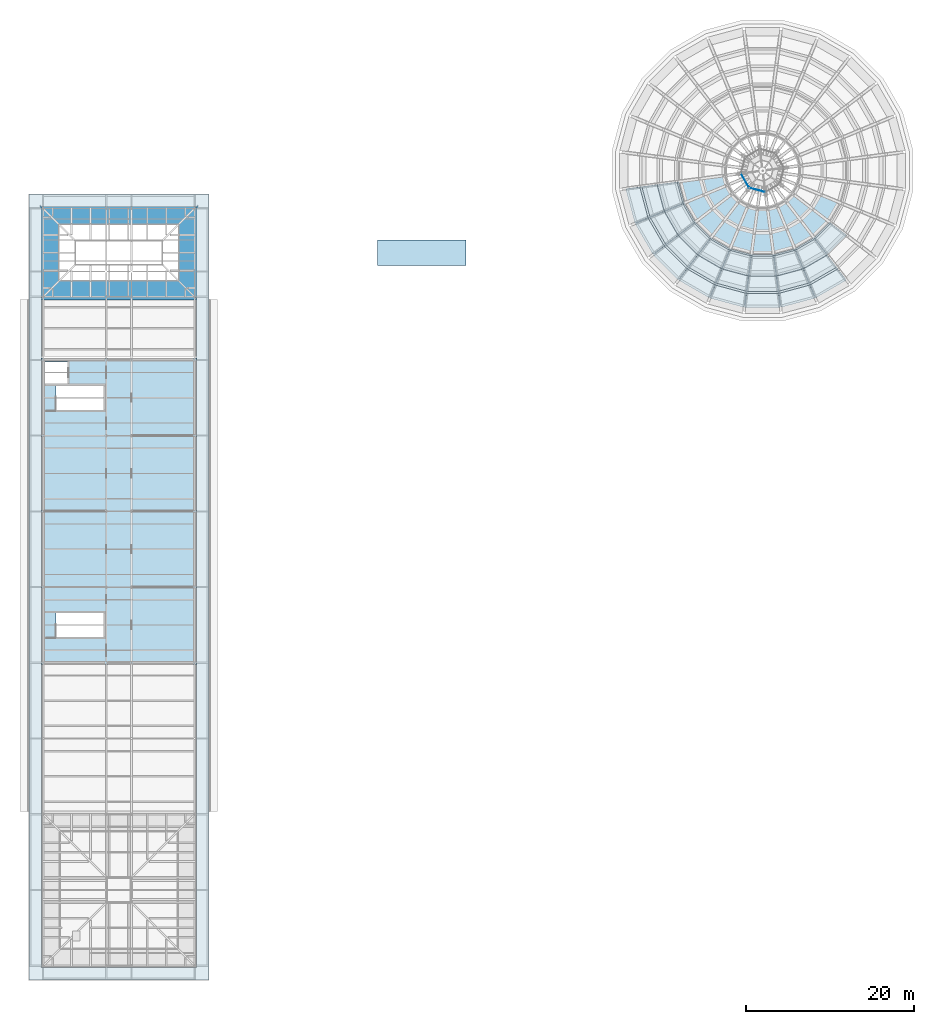
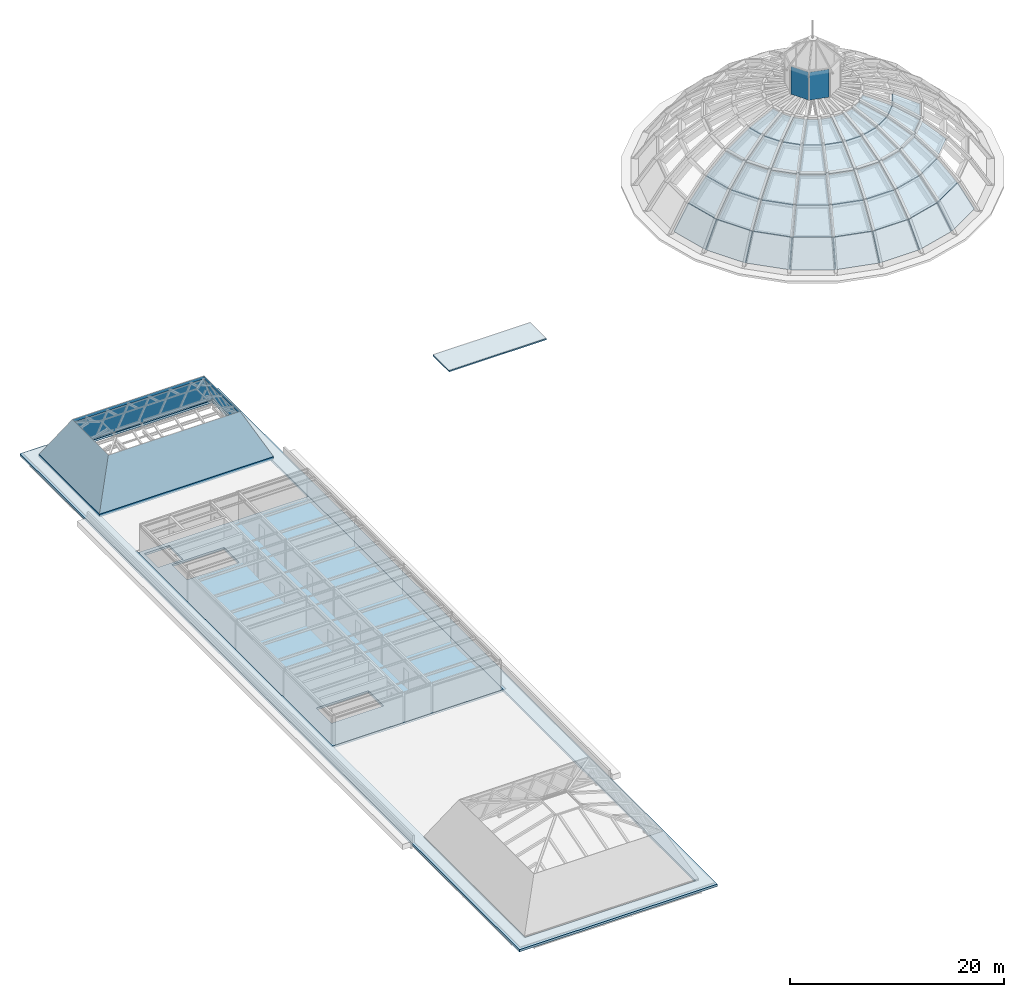
# One storey, part 18 of 29: 51 slabs, 2 plates.
"""IFC4 building model written with IfcOpenShell, lengths in metres."""

from ifc_helpers import new_model, si_unit, direction, frame, origin, place, context, subcontext, project, spatial, polyline, outline, extrude, material, layer, layer_set, type_object, element, save


model = new_model("IFC4")

# Units and contexts
model_context = context("Model", 3, precision=1e-05, world=origin(), true_north=direction((0.0, 1.0)))
body_context = subcontext(model_context, "Body", "Model", "MODEL_VIEW")
ifc_project = project(units=[si_unit("LENGTHUNIT", "METRE"), si_unit("AREAUNIT", "SQUARE_METRE"), si_unit("VOLUMEUNIT", "CUBIC_METRE"), si_unit("PLANEANGLEUNIT", "RADIAN"), si_unit("MASSUNIT", "GRAM", prefix="KILO")], contexts=[model_context])

# Site, building, storey
site_placement = place(None, origin())
site = spatial("IfcSite", under=ifc_project, at=site_placement, CompositionType="ELEMENT")
building_placement = place(site_placement, origin())
building = spatial("IfcBuilding", under=site, at=building_placement, Name="Golden Quay Civic Hall", CompositionType="ELEMENT")
storey_placement = place(building_placement, frame((0.0, 0.0, 27.0)))
storey = spatial("IfcBuildingStorey", under=building, at=storey_placement, Name="L06", CompositionType="ELEMENT", Elevation=27.0)

# Slabs
ifc_material_1 = material(Name="Concrete C35/45", Category="concrete")
ifc_layer_1 = layer(ifc_material_1, 0.25)
ifc_layer_set_1 = layer_set([ifc_layer_1], Name="Composite plant floor 250")
slab_type_1 = type_object("IfcSlabType", Name="Composite plant floor 250", PredefinedType="FLOOR", material=ifc_layer_set_1)
slab_1_placement = place(storey_placement, frame((0.0, 0.0, -0.25)))
element("IfcSlab", 1, at=slab_1_placement, inside=storey, type_object=slab_type_1, Name="WO plant floor", PredefinedType="FLOOR", context=body_context, shape_type="SweptSolid", body=[
    extrude(outline(polyline([(18.199951171875, 26.800048828125), (-0.199951171875, 26.800048828125), (-0.199951171875, 63.199951171875), (18.199951171875, 63.199951171875), (18.199951171875, 26.800048828125)]), holes=[polyline([(7.175048828125, 57.074951171875), (7.175048828125, 59.925048828125), (1.554931640625, 59.925048828125), (1.554931640625, 57.074951171875), (7.175048828125, 57.074951171875)]), polyline([(0.199951171875, 60.175048828125), (2.89990234375, 60.175048828125), (2.89990234375, 62.77490234375), (0.199951171875, 62.77490234375), (0.199951171875, 60.175048828125)]), polyline([(1.554931640625, 32.925048828125), (1.554931640625, 30.074951171875), (7.175048828125, 30.074951171875), (7.175048828125, 32.925048828125), (1.554931640625, 32.925048828125)])]), origin(), (0.0, 0.0, 1.0), 0.25),
])
ifc_material_2 = material(Name="Concrete C35/45", Category="concrete")
ifc_layer_2 = layer(ifc_material_2, 0.14990234375)
ifc_layer_set_2 = layer_set([ifc_layer_2], Name="Concrete roof deck 150, Concrete C35/45")
slab_type_2 = type_object("IfcSlabType", Name="Concrete roof deck 150", PredefinedType="ROOF", material=ifc_layer_set_2)
slab_2_placement = place(storey_placement, frame((-0.39990234375, 70.10009765625, 0.248291015625), z_axis=(0.0, -0.894427191, 0.4472135955), x_axis=(1.0, 0.0, 0.0)))
element("IfcSlab", 2, at=slab_2_placement, inside=storey, type_object=slab_type_2, Name="Roof deck WO-N south lower", PredefinedType="ROOF", context=body_context, shape_type="SweptSolid", body=[
    extrude(outline(polyline([(0.0, 0.0), (18.7998046875, 0.0), (16.516845703125, 5.10485147890638), (2.282958984375, 5.10485147890638), (0.0, 0.0)])), origin(), (0.0, -0.894427191, -0.4472135955), 0.33544921875),
])
slab_3_placement = place(storey_placement, frame((-0.39990234375, 81.39990234375, 0.248291015625), z_axis=(0.0, 0.894427191, 0.4472135955), x_axis=(1.0, 0.0, 0.0)))
element("IfcSlab", 3, at=slab_3_placement, inside=storey, type_object=slab_type_2, Name="Roof deck WO-N north lower", PredefinedType="ROOF", context=body_context, shape_type="SweptSolid", body=[
    extrude(outline(polyline([(0.0, 0.0), (18.7998046875, 0.0), (16.516845703125, -5.10485147890638), (2.282958984375, -5.10485147890638), (0.0, 0.0)])), origin(), (0.0, 0.894427191, -0.4472135955), 0.33544921875),
])
slab_4_placement = place(storey_placement, frame((-0.39990234375, 70.10009765625, 0.248291015625), z_axis=(-0.894427191, 0.0, 0.4472135955), x_axis=(0.0, 1.0, 0.0)))
element("IfcSlab", 4, at=slab_4_placement, inside=storey, type_object=slab_type_2, Name="Roof deck WO-N west lower", PredefinedType="ROOF", context=body_context, shape_type="SweptSolid", body=[
    extrude(outline(polyline([(0.0, 0.0), (11.2998046875, 0.0), (9.016845703125, -5.10485147890638), (2.282958984375, -5.10485147890638), (0.0, 0.0)])), origin(), (0.0, 0.894427191, -0.4472135955), 0.33544921875),
])
slab_5_placement = place(storey_placement, frame((18.39990234375, 70.10009765625, 0.248291015625), z_axis=(0.894427191, 0.0, 0.4472135955), x_axis=(0.0, 1.0, 0.0)))
element("IfcSlab", 5, at=slab_5_placement, inside=storey, type_object=slab_type_2, Name="Roof deck WO-N east lower", PredefinedType="ROOF", context=body_context, shape_type="SweptSolid", body=[
    extrude(outline(polyline([(0.0, 0.0), (11.2998046875, 0.0), (9.016845703125, 5.10485147890638), (2.282958984375, 5.10485147890638), (0.0, 0.0)])), origin(), (0.0, -0.894427191, -0.4472135955), 0.33544921875),
])
slab_6_placement = place(storey_placement, frame((0.0, 0.0, -0.072509765625)))
element("IfcSlab", 6, at=slab_6_placement, inside=storey, type_object=slab_type_2, Name="Roof deck NW-E cap", PredefinedType="ROOF", context=body_context, shape_type="SweptSolid", body=[
    extrude(outline(polyline([(39.75, 74.25), (50.25, 74.25), (50.25, 77.25), (39.75, 77.25), (39.75, 74.25)])), origin(), (0.0, 0.0, 1.0), 0.14990234375),
])
ifc_material_3 = material(Name="Concrete C40/50", Category="concrete")
ifc_layer_3 = layer(ifc_material_3, 0.300048828125)
ifc_layer_set_3 = layer_set([ifc_layer_3], Name="Dome shell D1 300")
slab_type_3 = type_object("IfcSlabType", Name="Dome shell D1 300", PredefinedType="ROOF", material=ifc_layer_set_3)
slab_7_placement = place(storey_placement, frame((69.24853515625, 83.327392578125, 0.1455078125), z_axis=(-0.805748318643, -0.215904161913, 0.551502529344), x_axis=(0.258824943154, -0.965924245891, 1.265612e-06)))
element("IfcSlab", 7, at=slab_7_placement, inside=storey, type_object=slab_type_3, Name="Dome shell panel 1.13", PredefinedType="ROOF", context=body_context, shape_type="SweptSolid", body=[
    extrude(outline(polyline([(0.0, 0.0), (4.215423155254426, 0.0), (3.9961423585196107, 3.0195092718009127), (0.2192524467190818, 3.0195213977804), (0.0, 0.0)])), origin(), (0.0, 0.0, -1.0), 0.300048828125),
])
slab_8_placement = place(storey_placement, frame((70.364501953125, 79.1953125, 0.1455078125), z_axis=(-0.722422993854, -0.417079452697, 0.551497731717), x_axis=(0.499991140247, -0.8660305189, 2.831556e-06)))
element("IfcSlab", 8, at=slab_8_placement, inside=storey, type_object=slab_type_3, Name="Dome shell panel 1.14", PredefinedType="ROOF", context=body_context, shape_type="SweptSolid", body=[
    extrude(outline(polyline([(0.0, 0.0), (4.215375454801392, 0.0), (3.9961481704944073, 3.019490288738637), (0.21916858991947044, 3.019517418251832), (0.0, 0.0)])), origin(), (0.0, 0.0, -1.0), 0.300048828125),
])
slab_9_placement = place(storey_placement, frame((72.511962890625, 75.492919921875, 0.1455078125), z_axis=(-0.589854677519, -0.589854677519, 0.551491540114), x_axis=(0.707106781187, -0.707106781187, 0.0)))
element("IfcSlab", 9, at=slab_9_placement, inside=storey, type_object=slab_type_3, Name="Dome shell panel 1.15", PredefinedType="ROOF", context=body_context, shape_type="SweptSolid", body=[
    extrude(outline(polyline([(0.0, 0.0), (4.2157098624451885, 0.0), (3.9964653282393985, 3.0194890363538103), (0.21924453420578993, 3.01948903635381), (0.0, 0.0)])), origin(), (0.0, 0.0, -1.0), 0.300048828125),
])
slab_10_placement = place(storey_placement, frame((75.544677734375, 72.47216796875, 0.1455078125), z_axis=(-0.417079452697, -0.722422993854, 0.551497731717), x_axis=(0.8660305189, -0.499991140247, -2.831556e-06)))
element("IfcSlab", 10, at=slab_10_placement, inside=storey, type_object=slab_type_3, Name="Dome shell panel 1.16", PredefinedType="ROOF", context=body_context, shape_type="SweptSolid", body=[
    extrude(outline(polyline([(0.0, 0.0), (4.215375454801392, 0.0), (3.9962068648819216, 3.019517418251832), (0.21922728430698488, 3.019490288738637), (0.0, 0.0)])), origin(), (0.0, 0.0, -1.0), 0.300048828125),
])
slab_11_placement = place(storey_placement, frame((79.255615234375, 70.339599609375, 0.1455078125), z_axis=(-0.215904161913, -0.805748318643, 0.551502529344), x_axis=(0.965924245891, -0.258824943154, -1.265612e-06)))
element("IfcSlab", 11, at=slab_11_placement, inside=storey, type_object=slab_type_3, Name="Dome shell panel 1.17", PredefinedType="ROOF", context=body_context, shape_type="SweptSolid", body=[
    extrude(outline(polyline([(0.0, 0.0), (4.215423155254426, 0.0), (3.996170708535344, 3.0195213977804), (0.21928079673481532, 3.0195092718009127), (0.0, 0.0)])), origin(), (0.0, 0.0, -1.0), 0.300048828125),
])
slab_12_placement = place(storey_placement, frame((83.392333984375, 69.239990234375, 0.1455078125), z_axis=(0.0, -0.83417126038, 0.55150549259), x_axis=(1.0, 0.0, 0.0)))
element("IfcSlab", 12, at=slab_12_placement, inside=storey, type_object=slab_type_3, Name="Dome shell panel 1.18", PredefinedType="ROOF", context=body_context, shape_type="SweptSolid", body=[
    extrude(outline(polyline([(0.0, 0.0), (4.21533203125, 0.0), (3.99609375, 3.019522426340651), (0.21923828125, 3.019522426340651), (0.0, 0.0)])), origin(), (0.0, 0.0, -1.0), 0.300048828125),
])
slab_13_placement = place(storey_placement, frame((87.672607421875, 69.24853515625, 0.1455078125), z_axis=(0.215904161913, -0.805748318643, 0.551502529344), x_axis=(0.965924245891, 0.258824943154, 1.265612e-06)))
element("IfcSlab", 13, at=slab_13_placement, inside=storey, type_object=slab_type_3, Name="Dome shell panel 1.19", PredefinedType="ROOF", context=body_context, shape_type="SweptSolid", body=[
    extrude(outline(polyline([(0.0, 0.0), (4.215423155254426, 0.0), (3.9961423585196107, 3.0195092718009127), (0.2192524467190818, 3.0195213977804), (0.0, 0.0)])), origin(), (0.0, 0.0, -1.0), 0.300048828125),
])
slab_14_placement = place(storey_placement, frame((91.8046875, 70.364501953125, 0.1455078125), z_axis=(0.417079452697, -0.722422993854, 0.551497731717), x_axis=(0.8660305189, 0.499991140247, 2.831556e-06)))
element("IfcSlab", 14, at=slab_14_placement, inside=storey, type_object=slab_type_3, Name="Dome shell panel 1.20", PredefinedType="ROOF", context=body_context, shape_type="SweptSolid", body=[
    extrude(outline(polyline([(0.0, 0.0), (4.215375454801392, 0.0), (3.9961481704944073, 3.019490288738637), (0.21916858991947044, 3.019517418251832), (0.0, 0.0)])), origin(), (0.0, 0.0, -1.0), 0.300048828125),
])
slab_15_placement = place(storey_placement, frame((70.94287109375, 83.554443359375, 2.70263671875), z_axis=(-0.708873973093, -0.189943508599, 0.679278406703), x_axis=(0.258820915268, -0.965925325178, 2.43224e-07)))
element("IfcSlab", 15, at=slab_15_placement, inside=storey, type_object=slab_type_3, Name="Dome shell panel 2.13", PredefinedType="ROOF", context=body_context, shape_type="SweptSolid", body=[
    extrude(outline(polyline([(0.0, 0.0), (3.7768899118321406, -1.1102230246251565e-16), (3.509396605947967, 2.9907087593540034), (0.26733321927039466, 2.9907110855875847), (0.0, 0.0)])), origin(), (0.0, 0.0, -1.0), 0.300048828125),
])
slab_16_placement = place(storey_placement, frame((71.9423828125, 79.85302734375, 2.70263671875), z_axis=(-0.635572942013, -0.366940814897, 0.679265392717), x_axis=(0.500001263933, -0.866024673981, 1.1004147e-05)))
element("IfcSlab", 16, at=slab_16_placement, inside=storey, type_object=slab_type_3, Name="Dome shell panel 2.14", PredefinedType="ROOF", context=body_context, shape_type="SweptSolid", body=[
    extrude(outline(polyline([(0.0, 0.0), (3.7767681479122106, 2.220446049250313e-16), (3.50933340259419, 2.9906082160524408), (0.2674407897925698, 2.990713455378682), (0.0, 0.0)])), origin(), (0.0, 0.0, -1.0), 0.300048828125),
])
slab_17_placement = place(storey_placement, frame((73.86572265625, 76.53662109375, 2.70263671875), z_axis=(-0.518928907618, -0.518928907618, 0.679283135133), x_axis=(0.707106781187, -0.707106781187, 0.0)))
element("IfcSlab", 17, at=slab_17_placement, inside=storey, type_object=slab_type_3, Name="Dome shell panel 2.15", PredefinedType="ROOF", context=body_context, shape_type="SweptSolid", body=[
    extrude(outline(polyline([(0.0, 0.0), (3.7772207940336084, 0.0), (3.5096388822076445, 2.9907277582864644), (0.267581911825964, 2.9907277582864644), (0.0, 0.0)])), origin(), (0.0, 0.0, -1.0), 0.300048828125),
])
slab_18_placement = place(storey_placement, frame((76.582275390625, 73.830810546875, 2.70263671875), z_axis=(-0.366940814897, -0.635572942013, 0.679265392717), x_axis=(0.866024673981, -0.500001263933, -1.1004147e-05)))
element("IfcSlab", 18, at=slab_18_placement, inside=storey, type_object=slab_type_3, Name="Dome shell panel 2.16", PredefinedType="ROOF", context=body_context, shape_type="SweptSolid", body=[
    extrude(outline(polyline([(0.0, 0.0), (3.7767681479122106, -2.220446049250313e-16), (3.509327358119641, 2.9907134553786814), (0.2674347453180206, 2.9906082160524408), (0.0, 0.0)])), origin(), (0.0, 0.0, -1.0), 0.300048828125),
])
slab_19_placement = place(storey_placement, frame((79.90625, 71.92041015625, 2.70263671875), z_axis=(-0.189943508599, -0.708873973093, 0.679278406703), x_axis=(0.965925325178, -0.258820915268, -2.43224e-07)))
element("IfcSlab", 19, at=slab_19_placement, inside=storey, type_object=slab_type_3, Name="Dome shell panel 2.17", PredefinedType="ROOF", context=body_context, shape_type="SweptSolid", body=[
    extrude(outline(polyline([(0.0, 0.0), (3.7768899118321406, 1.1102230246251565e-16), (3.5095566925617465, 2.9907110855875847), (0.2674933058841736, 2.9907087593540034), (0.0, 0.0)])), origin(), (0.0, 0.0, -1.0), 0.300048828125),
])
slab_20_placement = place(storey_placement, frame((83.611572265625, 70.935302734375, 2.70263671875), z_axis=(0.0, -0.733885764718, 0.67927290859), x_axis=(1.0, 0.0, 0.0)))
element("IfcSlab", 20, at=slab_20_placement, inside=storey, type_object=slab_type_3, Name="Dome shell panel 2.18", PredefinedType="ROOF", context=body_context, shape_type="SweptSolid", body=[
    extrude(outline(polyline([(0.0, 0.0), (3.77685546875, 0.0), (3.509521484375, 2.990689183884754), (0.267333984375, 2.990689183884754), (0.0, 0.0)])), origin(), (0.0, 0.0, -1.0), 0.300048828125),
])
slab_21_placement = place(storey_placement, frame((87.445556640625, 70.94287109375, 2.70263671875), z_axis=(0.189943508599, -0.708873973093, 0.679278406703), x_axis=(0.965925325178, 0.258820915268, 2.43224e-07)))
element("IfcSlab", 21, at=slab_21_placement, inside=storey, type_object=slab_type_3, Name="Dome shell panel 2.19", PredefinedType="ROOF", context=body_context, shape_type="SweptSolid", body=[
    extrude(outline(polyline([(0.0, 0.0), (3.7768899118321406, -1.1102230246251565e-16), (3.509396605947967, 2.9907087593540034), (0.26733321927039466, 2.9907110855875847), (0.0, 0.0)])), origin(), (0.0, 0.0, -1.0), 0.300048828125),
])
slab_22_placement = place(storey_placement, frame((91.14697265625, 71.9423828125, 2.70263671875), z_axis=(0.366940814897, -0.635572942013, 0.679265392717), x_axis=(0.866024673981, 0.500001263933, 1.1004147e-05)))
element("IfcSlab", 22, at=slab_22_placement, inside=storey, type_object=slab_type_3, Name="Dome shell panel 2.20", PredefinedType="ROOF", context=body_context, shape_type="SweptSolid", body=[
    extrude(outline(polyline([(0.0, 0.0), (3.7767681479122106, 2.220446049250313e-16), (3.50933340259419, 2.9906082160524408), (0.2674407897925698, 2.990713455378682), (0.0, 0.0)])), origin(), (0.0, 0.0, -1.0), 0.300048828125),
])
slab_23_placement = place(storey_placement, frame((73.009033203125, 83.831298828125, 4.9306640625), z_axis=(-0.593010232997, -0.158899543422, 0.789360373126), x_axis=(0.258821411337, -0.965925192254, -1.680586e-06)))
element("IfcSlab", 23, at=slab_23_placement, inside=storey, type_object=slab_type_3, Name="Dome shell panel 3.13", PredefinedType="ROOF", context=body_context, shape_type="SweptSolid", body=[
    extrude(outline(polyline([(0.0, 0.0), (3.2420633866713415, 0.0), (2.9317262886442834, 2.9864978747920743), (0.3104189470987425, 2.986481824274189), (0.0, 0.0)])), origin(), (0.0, 0.0, -1.0), 0.300048828125),
])
slab_24_placement = place(storey_placement, frame((73.866455078125, 80.6552734375, 4.9306640625), z_axis=(-0.531698308636, -0.306953523563, 0.789351913259), x_axis=(0.499985865601, -0.866033564045, 1.2142968e-05)))
element("IfcSlab", 24, at=slab_24_placement, inside=storey, type_object=slab_type_3, Name="Dome shell panel 3.14", PredefinedType="ROOF", context=body_context, shape_type="SweptSolid", body=[
    extrude(outline(polyline([(0.0, 0.0), (3.242226115153178, -2.220446049250313e-16), (2.931744911563131, 2.986378952568928), (0.3103654587807165, 2.9864949271855847), (0.0, 0.0)])), origin(), (0.0, 0.0, -1.0), 0.300048828125),
])
slab_25_placement = place(storey_placement, frame((75.516845703125, 77.809326171875, 4.9306640625), z_axis=(-0.434106558437, -0.434106558437, 0.789368729963), x_axis=(0.707106781187, -0.707106781187, 0.0)))
element("IfcSlab", 25, at=slab_25_placement, inside=storey, type_object=slab_type_3, Name="Dome shell panel 3.15", PredefinedType="ROOF", context=body_context, shape_type="SweptSolid", body=[
    extrude(outline(polyline([(0.0, 0.0), (3.2420569703816806, 0.0), (2.9316619526635623, 2.9865421196039708), (0.3103950177181183, 2.9865421196039708), (0.0, 0.0)])), origin(), (0.0, 0.0, -1.0), 0.300048828125),
])
slab_26_placement = place(storey_placement, frame((77.847412109375, 75.487548828125, 4.9306640625), z_axis=(-0.306953523563, -0.531698308636, 0.789351913259), x_axis=(0.866033564045, -0.499985865601, -1.2142968e-05)))
element("IfcSlab", 26, at=slab_26_placement, inside=storey, type_object=slab_type_3, Name="Dome shell panel 3.16", PredefinedType="ROOF", context=body_context, shape_type="SweptSolid", body=[
    extrude(outline(polyline([(0.0, 0.0), (3.242226115153178, 2.220446049250313e-16), (2.9318606563724616, 2.9864949271855847), (0.31048120359004744, 2.986378952568928), (0.0, 0.0)])), origin(), (0.0, 0.0, -1.0), 0.300048828125),
])
slab_27_placement = place(storey_placement, frame((80.69970703125, 73.84814453125, 4.9306640625), z_axis=(-0.158899543422, -0.593010232997, 0.789360373126), x_axis=(0.965925192254, -0.258821411337, 1.680586e-06)))
element("IfcSlab", 27, at=slab_27_placement, inside=storey, type_object=slab_type_3, Name="Dome shell panel 3.17", PredefinedType="ROOF", context=body_context, shape_type="SweptSolid", body=[
    extrude(outline(polyline([(0.0, 0.0), (3.2420633866713415, 0.0), (2.9316444395725987, 2.986481824274189), (0.31033709802705844, 2.9864978747920743), (0.0, 0.0)])), origin(), (0.0, 0.0, -1.0), 0.300048828125),
])
slab_28_placement = place(storey_placement, frame((83.87890625, 73.002685546875, 4.9306640625), z_axis=(0.0, -0.613929294465, 0.789361020952), x_axis=(1.0, 0.0, 0.0)))
element("IfcSlab", 28, at=slab_28_placement, inside=storey, type_object=slab_type_3, Name="Dome shell panel 3.18", PredefinedType="ROOF", context=body_context, shape_type="SweptSolid", body=[
    extrude(outline(polyline([(0.0, 0.0), (3.2421875, 0.0), (2.931884765625, 2.9864939013038394), (0.310302734375, 2.9864939013038394), (0.0, 0.0)])), origin(), (0.0, 0.0, -1.0), 0.300048828125),
])
slab_29_placement = place(storey_placement, frame((87.168701171875, 73.009033203125, 4.9306640625), z_axis=(0.158899543422, -0.593010232997, 0.789360373126), x_axis=(0.965925192254, 0.258821411337, -1.680586e-06)))
element("IfcSlab", 29, at=slab_29_placement, inside=storey, type_object=slab_type_3, Name="Dome shell panel 3.19", PredefinedType="ROOF", context=body_context, shape_type="SweptSolid", body=[
    extrude(outline(polyline([(0.0, 0.0), (3.2420633866713415, 0.0), (2.9317262886442834, 2.9864978747920743), (0.3104189470987425, 2.986481824274189), (0.0, 0.0)])), origin(), (0.0, 0.0, -1.0), 0.300048828125),
])
slab_30_placement = place(storey_placement, frame((90.3447265625, 73.866455078125, 4.9306640625), z_axis=(0.306953523563, -0.531698308636, 0.789351913259), x_axis=(0.866033564045, 0.499985865601, 1.2142968e-05)))
element("IfcSlab", 30, at=slab_30_placement, inside=storey, type_object=slab_type_3, Name="Dome shell panel 3.20", PredefinedType="ROOF", context=body_context, shape_type="SweptSolid", body=[
    extrude(outline(polyline([(0.0, 0.0), (3.242226115153178, -2.220446049250313e-16), (2.931744911563131, 2.986378952568928), (0.3103654587807165, 2.9864949271855847), (0.0, 0.0)])), origin(), (0.0, 0.0, -1.0), 0.300048828125),
])
slab_31_placement = place(storey_placement, frame((93.190673828125, 75.516845703125, 4.9306640625), z_axis=(0.434106558437, -0.434106558437, 0.789368729963), x_axis=(0.707106781187, 0.707106781187, 0.0)))
element("IfcSlab", 31, at=slab_31_placement, inside=storey, type_object=slab_type_3, Name="Dome shell panel 3.21", PredefinedType="ROOF", context=body_context, shape_type="SweptSolid", body=[
    extrude(outline(polyline([(0.0, 0.0), (3.2420569703816806, 0.0), (2.9316619526635623, 2.9865421196039708), (0.3103950177181183, 2.9865421196039708), (0.0, 0.0)])), origin(), (0.0, 0.0, -1.0), 0.300048828125),
])
slab_32_placement = place(storey_placement, frame((75.406005859375, 84.152099609375, 6.791015625), z_axis=(-0.460997096722, -0.123541693642, 0.878759993824), x_axis=(0.258833651384, -0.965921912361, -1.1456094e-05)))
element("IfcSlab", 32, at=slab_32_placement, inside=storey, type_object=slab_type_3, Name="Dome shell panel 4.13", PredefinedType="ROOF", context=body_context, shape_type="SweptSolid", body=[
    extrude(outline(polyline([(0.0, 0.0), (2.6213073413810166, 1.1102230246251565e-16), (2.276157395321928, 2.9823453767367107), (0.3448339943482454, 2.982236096818636), (0.0, 0.0)])), origin(), (0.0, 0.0, -1.0), 0.300048828125),
])
slab_33_placement = place(storey_placement, frame((76.0986328125, 81.585693359375, 6.791015625), z_axis=(-0.413310777413, -0.23861979496, 0.878768908603), x_axis=(0.500009963405, -0.866019651257, 1.1464988e-05)))
element("IfcSlab", 33, at=slab_33_placement, inside=storey, type_object=slab_type_3, Name="Dome shell panel 4.14", PredefinedType="ROOF", context=body_context, shape_type="SweptSolid", body=[
    extrude(outline(polyline([(0.0, 0.0), (2.621501521134179, -2.220446049250313e-16), (2.2765837733553913, 2.9823386240746785), (0.34527517080842046, 2.9824479969088227), (0.0, 0.0)])), origin(), (0.0, 0.0, -1.0), 0.300048828125),
])
slab_34_placement = place(storey_placement, frame((77.43212890625, 79.285888671875, 6.791015625), z_axis=(-0.337473465222, -0.337473465222, 0.878762380022), x_axis=(0.707106781187, -0.707106781187, 0.0)))
element("IfcSlab", 34, at=slab_34_placement, inside=storey, type_object=slab_type_3, Name="Dome shell panel 4.15", PredefinedType="ROOF", context=body_context, shape_type="SweptSolid", body=[
    extrude(outline(polyline([(0.0, 0.0), (2.6216122019284454, 0.0), (2.2765178524187015, 2.982318194372735), (0.3450943495097434, 2.982318194372735), (0.0, 0.0)])), origin(), (0.0, 0.0, -1.0), 0.300048828125),
])
slab_35_placement = place(storey_placement, frame((79.3154296875, 77.409423828125, 6.791015625), z_axis=(-0.23861979496, -0.413310777413, 0.878768908603), x_axis=(0.866019651257, -0.500009963405, -1.1464988e-05)))
element("IfcSlab", 35, at=slab_35_placement, inside=storey, type_object=slab_type_3, Name="Dome shell panel 4.16", PredefinedType="ROOF", context=body_context, shape_type="SweptSolid", body=[
    extrude(outline(polyline([(0.0, 0.0), (2.621501521134179, 2.220446049250313e-16), (2.2762263503257585, 2.9824479969088227), (0.34491774777878764, 2.9823386240746785), (0.0, 0.0)])), origin(), (0.0, 0.0, -1.0), 0.300048828125),
])
slab_36_placement = place(storey_placement, frame((81.6201171875, 76.08447265625, 6.791015625), z_axis=(-0.123541693642, -0.460997096722, 0.878759993824), x_axis=(0.965921912361, -0.258833651384, 1.1456094e-05)))
element("IfcSlab", 36, at=slab_36_placement, inside=storey, type_object=slab_type_3, Name="Dome shell panel 4.17", PredefinedType="ROOF", context=body_context, shape_type="SweptSolid", body=[
    extrude(outline(polyline([(0.0, 0.0), (2.6213073413810166, -1.1102230246251565e-16), (2.276473347032771, 2.9822360968186357), (0.3451499460590882, 2.9823453767367107), (0.0, 0.0)])), origin(), (0.0, 0.0, -1.0), 0.300048828125),
])
slab_37_placement = place(storey_placement, frame((84.189208984375, 75.401123046875, 6.791015625), z_axis=(0.0, -0.47727974156, 0.878751414392), x_axis=(1.0, 0.0, 0.0)))
element("IfcSlab", 37, at=slab_37_placement, inside=storey, type_object=slab_type_3, Name="Dome shell panel 4.18", PredefinedType="ROOF", context=body_context, shape_type="SweptSolid", body=[
    extrude(outline(polyline([(0.0, 0.0), (2.62158203125, 0.0), (2.276611328125, 2.9821920350052373), (0.344970703125, 2.9821920350052373), (0.0, 0.0)])), origin(), (0.0, 0.0, -1.0), 0.300048828125),
])
slab_38_placement = place(storey_placement, frame((86.847900390625, 75.406005859375, 6.791015625), z_axis=(0.123541693642, -0.460997096722, 0.878759993824), x_axis=(0.965921912361, 0.258833651384, -1.1456094e-05)))
element("IfcSlab", 38, at=slab_38_placement, inside=storey, type_object=slab_type_3, Name="Dome shell panel 4.19", PredefinedType="ROOF", context=body_context, shape_type="SweptSolid", body=[
    extrude(outline(polyline([(0.0, 0.0), (2.6213073413810166, 1.1102230246251565e-16), (2.276157395321928, 2.9823453767367107), (0.3448339943482454, 2.982236096818636), (0.0, 0.0)])), origin(), (0.0, 0.0, -1.0), 0.300048828125),
])
slab_39_placement = place(storey_placement, frame((89.414306640625, 76.0986328125, 6.791015625), z_axis=(0.23861979496, -0.413310777413, 0.878768908603), x_axis=(0.866019651257, 0.500009963405, 1.1464988e-05)))
element("IfcSlab", 39, at=slab_39_placement, inside=storey, type_object=slab_type_3, Name="Dome shell panel 4.20", PredefinedType="ROOF", context=body_context, shape_type="SweptSolid", body=[
    extrude(outline(polyline([(0.0, 0.0), (2.621501521134179, -2.220446049250313e-16), (2.2765837733553913, 2.9823386240746785), (0.34527517080842046, 2.9824479969088227), (0.0, 0.0)])), origin(), (0.0, 0.0, -1.0), 0.300048828125),
])
slab_40_placement = place(storey_placement, frame((91.714111328125, 77.43212890625, 6.791015625), z_axis=(0.337473465222, -0.337473465222, 0.878762380022), x_axis=(0.707106781187, 0.707106781187, 0.0)))
element("IfcSlab", 40, at=slab_40_placement, inside=storey, type_object=slab_type_3, Name="Dome shell panel 4.21", PredefinedType="ROOF", context=body_context, shape_type="SweptSolid", body=[
    extrude(outline(polyline([(0.0, 0.0), (2.6216122019284454, 0.0), (2.2765178524187015, 2.982318194372735), (0.3450943495097434, 2.982318194372735), (0.0, 0.0)])), origin(), (0.0, 0.0, -1.0), 0.300048828125),
])
slab_41_placement = place(storey_placement, frame((93.590576171875, 79.3154296875, 6.791015625), z_axis=(0.413310777413, -0.23861979496, 0.878768908603), x_axis=(0.500009963405, 0.866019651257, -1.1464988e-05)))
element("IfcSlab", 41, at=slab_41_placement, inside=storey, type_object=slab_type_3, Name="Dome shell panel 4.22", PredefinedType="ROOF", context=body_context, shape_type="SweptSolid", body=[
    extrude(outline(polyline([(0.0, 0.0), (2.621501521134179, 2.220446049250313e-16), (2.2762263503257585, 2.9824479969088227), (0.34491774777878764, 2.9823386240746785), (0.0, 0.0)])), origin(), (0.0, 0.0, -1.0), 0.300048828125),
])
slab_42_placement = place(storey_placement, frame((78.070068359375, 84.5087890625, 8.234375), z_axis=(-0.316376557334, -0.084794040872, 0.944836411556), x_axis=(0.258888719559, -0.965907154376, 3.335074e-06)))
element("IfcSlab", 42, at=slab_42_placement, inside=storey, type_object=slab_type_3, Name="Dome shell panel 5.13", PredefinedType="ROOF", context=body_context, shape_type="SweptSolid", body=[
    extrude(outline(polyline([(0.0, 0.0), (1.9313234043556713, -1.1102230246251565e-16), (1.5610174708265812, 2.979230394503261), (0.37078935704772825, 2.9792621784789666), (0.0, 0.0)])), origin(), (0.0, 0.0, -1.0), 0.300048828125),
])
slab_43_placement = place(storey_placement, frame((78.579833984375, 82.61962890625, 8.234375), z_axis=(-0.283678291062, -0.163756130811, 0.94483361329), x_axis=(0.4999575946, -0.866049885145, 6.496127e-06)))
element("IfcSlab", 43, at=slab_43_placement, inside=storey, type_object=slab_type_3, Name="Dome shell panel 5.14", PredefinedType="ROOF", context=body_context, shape_type="SweptSolid", body=[
    extrude(outline(polyline([(0.0, 0.0), (1.9313086059011373, 0.0), (1.5606708119217456, 2.9791419199434688), (0.37051962219465046, 2.97920382608807), (0.0, 0.0)])), origin(), (0.0, 0.0, -1.0), 0.300048828125),
])
slab_44_placement = place(storey_placement, frame((79.56103515625, 80.9267578125, 8.234375), z_axis=(-0.231615769224, -0.231615769224, 0.944832403601), x_axis=(0.707106781187, -0.707106781187, 0.0)))
element("IfcSlab", 44, at=slab_44_placement, inside=storey, type_object=slab_type_3, Name="Dome shell panel 5.15", PredefinedType="ROOF", context=body_context, shape_type="SweptSolid", body=[
    extrude(outline(polyline([(0.0, 0.0), (1.9314235029089586, 0.0), (1.5607793966571228, 2.9791411346506336), (0.3706441062518353, 2.979141134650634), (0.0, 0.0)])), origin(), (0.0, 0.0, -1.0), 0.300048828125),
])
slab_45_placement = place(storey_placement, frame((80.947021484375, 79.54541015625, 8.234375), z_axis=(-0.163756130811, -0.283678291062, 0.94483361329), x_axis=(0.866049885145, -0.4999575946, -6.496127e-06)))
element("IfcSlab", 45, at=slab_45_placement, inside=storey, type_object=slab_type_3, Name="Dome shell panel 5.16", PredefinedType="ROOF", context=body_context, shape_type="SweptSolid", body=[
    extrude(outline(polyline([(0.0, 0.0), (1.9313086059011373, 0.0), (1.5607889837064866, 2.9792038260880704), (0.3706377939793915, 2.9791419199434688), (0.0, 0.0)])), origin(), (0.0, 0.0, -1.0), 0.300048828125),
])
slab_46_placement = place(storey_placement, frame((82.643310546875, 78.570068359375, 8.234375), z_axis=(-0.084794040872, -0.316376557334, 0.944836411556), x_axis=(0.965907154376, -0.258888719559, -3.335074e-06)))
element("IfcSlab", 46, at=slab_46_placement, inside=storey, type_object=slab_type_3, Name="Dome shell panel 5.17", PredefinedType="ROOF", context=body_context, shape_type="SweptSolid", body=[
    extrude(outline(polyline([(0.0, 0.0), (1.9313234043556713, 1.1102230246251565e-16), (1.5605340473079432, 2.9792621784789666), (0.37030593352908986, 2.9792303945032614), (0.0, 0.0)])), origin(), (0.0, 0.0, -1.0), 0.300048828125),
])
slab_47_placement = place(storey_placement, frame((84.5341796875, 78.06689453125, 8.234375), z_axis=(0.0, -0.327563700248, 0.944829096863), x_axis=(1.0, 0.0, 0.0)))
element("IfcSlab", 47, at=slab_47_placement, inside=storey, type_object=slab_type_3, Name="Dome shell panel 5.18", PredefinedType="ROOF", context=body_context, shape_type="SweptSolid", body=[
    extrude(outline(polyline([(0.0, 0.0), (1.931640625, 0.0), (1.56103515625, 2.979054386628464), (0.37060546875, 2.979054386628464), (0.0, 0.0)])), origin(), (0.0, 0.0, -1.0), 0.300048828125),
])
slab_48_placement = place(storey_placement, frame((86.4912109375, 78.070068359375, 8.234375), z_axis=(0.084794040872, -0.316376557334, 0.944836411556), x_axis=(0.965907154376, 0.258888719559, 3.335074e-06)))
element("IfcSlab", 48, at=slab_48_placement, inside=storey, type_object=slab_type_3, Name="Dome shell panel 5.19", PredefinedType="ROOF", context=body_context, shape_type="SweptSolid", body=[
    extrude(outline(polyline([(0.0, 0.0), (1.9313234043556713, -1.1102230246251565e-16), (1.5610174708265812, 2.979230394503261), (0.37078935704772825, 2.9792621784789666), (0.0, 0.0)])), origin(), (0.0, 0.0, -1.0), 0.300048828125),
])
slab_49_placement = place(storey_placement, frame((88.38037109375, 78.579833984375, 8.234375), z_axis=(0.163756130811, -0.283678291062, 0.94483361329), x_axis=(0.866049885145, 0.4999575946, 6.496127e-06)))
element("IfcSlab", 49, at=slab_49_placement, inside=storey, type_object=slab_type_3, Name="Dome shell panel 5.20", PredefinedType="ROOF", context=body_context, shape_type="SweptSolid", body=[
    extrude(outline(polyline([(0.0, 0.0), (1.9313086059011373, 0.0), (1.5606708119217456, 2.9791419199434688), (0.37051962219465046, 2.97920382608807), (0.0, 0.0)])), origin(), (0.0, 0.0, -1.0), 0.300048828125),
])
slab_50_placement = place(storey_placement, frame((90.0732421875, 79.56103515625, 8.234375), z_axis=(0.231615769224, -0.231615769224, 0.944832403601), x_axis=(0.707106781187, 0.707106781187, 0.0)))
element("IfcSlab", 50, at=slab_50_placement, inside=storey, type_object=slab_type_3, Name="Dome shell panel 5.21", PredefinedType="ROOF", context=body_context, shape_type="SweptSolid", body=[
    extrude(outline(polyline([(0.0, 0.0), (1.9314235029089586, 0.0), (1.5607793966571228, 2.9791411346506336), (0.3706441062518353, 2.979141134650634), (0.0, 0.0)])), origin(), (0.0, 0.0, -1.0), 0.300048828125),
])
ifc_material_4 = material(Name="Concrete C35/45", Category="concrete")
ifc_layer_4 = layer(ifc_material_4, 0.25)
ifc_layer_set_4 = layer_set([ifc_layer_4], Name="Eave roof slab 250")
slab_type_4 = type_object("IfcSlabType", Name="Eave roof slab 250", PredefinedType="ROOF", material=ifc_layer_set_4)
slab_51_placement = place(storey_placement, frame((0.0, 0.0, -0.25)))
element("IfcSlab", 51, at=slab_51_placement, inside=storey, type_object=slab_type_4, Name="Eave roof slab 250 L06 1", PredefinedType="ROOF", context=body_context, shape_type="SweptSolid", body=[
    extrude(outline(polyline([(18.199951171875, -10.699951171875), (-0.199951171875, -10.699951171875), (-1.699951171875, -10.699951171875), (-1.699951171875, -9.199951171875), (-1.699951171875, 81.199951171875), (-1.699951171875, 82.699951171875), (-0.199951171875, 82.699951171875), (18.199951171875, 82.699951171875), (19.699951171875, 82.699951171875), (19.699951171875, 81.199951171875), (19.699951171875, -9.199951171875), (19.699951171875, -10.699951171875), (18.199951171875, -10.699951171875)]), holes=[polyline([(18.199951171875, -9.199951171875), (18.199951171875, 81.199951171875), (-0.199951171875, 81.199951171875), (-0.199951171875, -9.199951171875), (18.199951171875, -9.199951171875)])]), origin(), (0.0, 0.0, 1.0), 0.25),
])

# Plates
ifc_material_5 = material(Name="Laminated glass", Category="glass")
ifc_layer_5 = layer(ifc_material_5, 0.030029296875)
ifc_layer_set_5 = layer_set([ifc_layer_5], Name="Laminated roof glazing 30")
plate_type = type_object("IfcPlateType", Name="Laminated roof glazing 30", PredefinedType="SHEET", material=ifc_layer_set_5)
plate_1_placement = place(storey_placement, frame((82.9521484375, 85.108642578125, 9.917724609375), z_axis=(-0.866000772924, -0.500042659475, 0.0), x_axis=(0.500042659475, -0.866000772924, 0.0)))
element("IfcPlate", 52, at=plate_1_placement, inside=storey, type_object=plate_type, Name="Lantern glazing 5", PredefinedType="SHEET", context=body_context, shape_type="SweptSolid", body=[
    extrude(outline(polyline([(0.0, 0.0), (1.8699576446764947, 0.0), (1.8699576446764947, 3.2001953125), (0.0, 3.2001953125), (0.0, 0.0)])), origin(), (0.0, 0.0, -1.0), 0.030029296875),
])
plate_2_placement = place(storey_placement, frame((83.97509765625, 83.421875, 9.917724609375), z_axis=(-0.258873115347, -0.965911336589, 0.0), x_axis=(0.965911336589, -0.258873115347, 0.0)))
element("IfcPlate", 53, at=plate_2_placement, inside=storey, type_object=plate_type, Name="Lantern glazing 6", PredefinedType="SHEET", context=body_context, shape_type="SweptSolid", body=[
    extrude(outline(polyline([(0.0, 0.0), (1.8701473064337835, 0.0), (1.8701473064337835, 3.2001953125), (0.0, 3.2001953125), (0.0, 0.0)])), origin(), (0.0, 0.0, -1.0), 0.030029296875),
])

save(model, "model.ifc")
